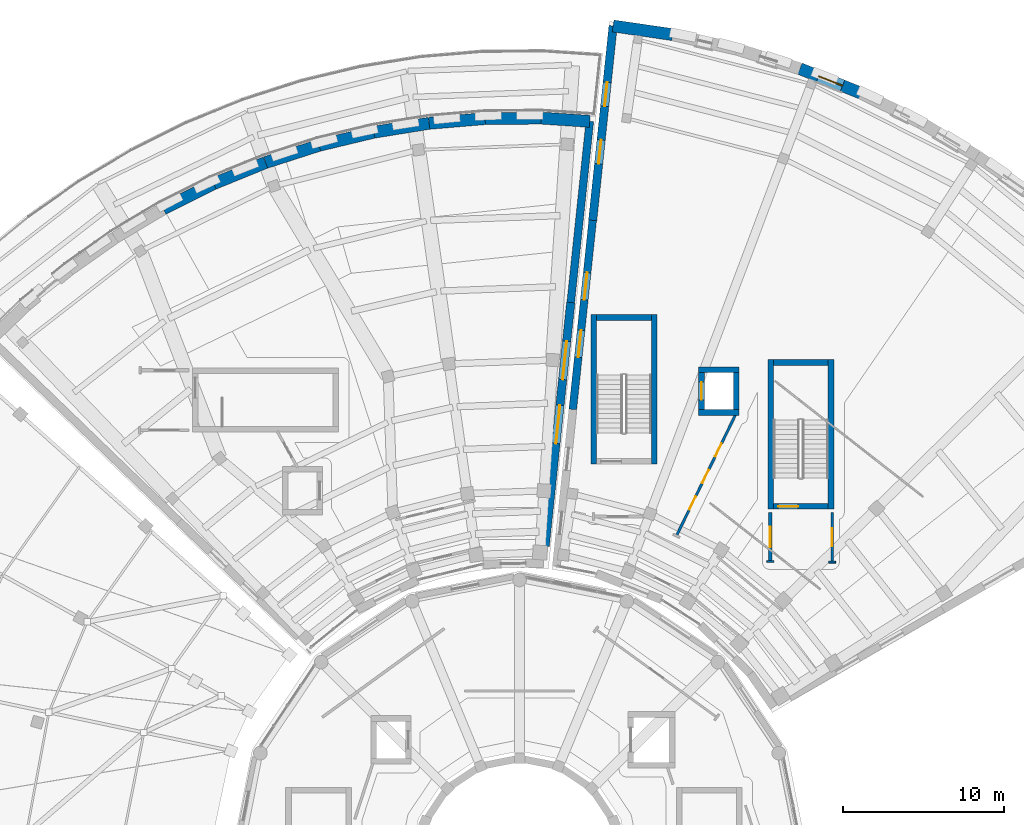
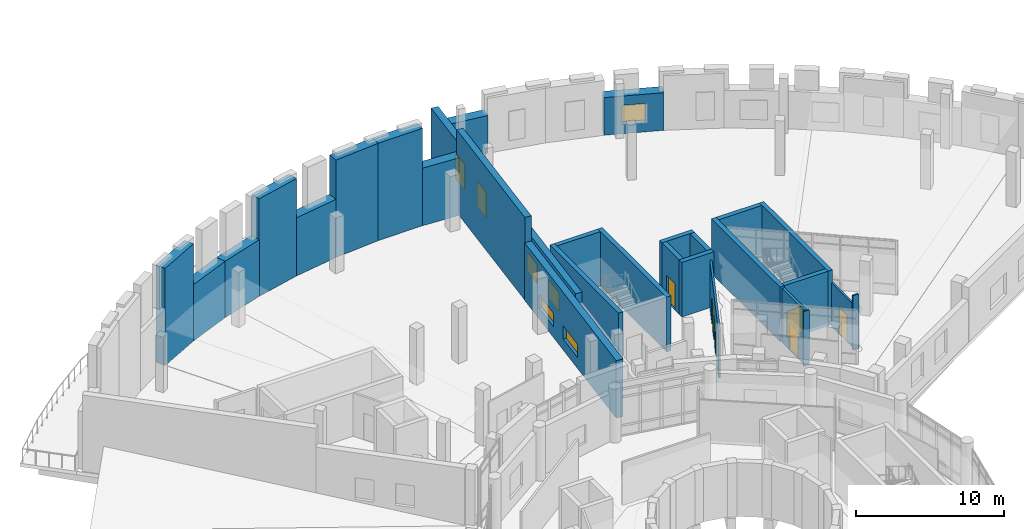
# One storey, part 37 of 49: 30 walls, 7 doors, 7 windows, 14 openings.
"""IFC4 building model written with IfcOpenShell, lengths in metres."""

from ifc_helpers import new_model, si_unit, direction, frame, frame_2d, origin, place, context, subcontext, project, spatial, rectangle, extrude, material, layer, layer_set, type_object, element, fill, save


model = new_model("IFC4")

# Units and contexts
model_context = context("Model", 3, precision=1e-05, world=origin(), true_north=direction((0.0, 1.0)))
body_context = subcontext(model_context, "Body", "Model", "MODEL_VIEW")
ifc_project = project(units=[si_unit("LENGTHUNIT", "METRE"), si_unit("AREAUNIT", "SQUARE_METRE"), si_unit("VOLUMEUNIT", "CUBIC_METRE"), si_unit("PLANEANGLEUNIT", "RADIAN"), si_unit("MASSUNIT", "GRAM", prefix="KILO")], contexts=[model_context])

# Site, building, storey
site_placement = place(None, origin())
site = spatial("IfcSite", under=ifc_project, at=site_placement, CompositionType="ELEMENT")
building_placement = place(site_placement, origin())
building = spatial("IfcBuilding", under=site, at=building_placement, Name="Soyqirgoq Riverine Aquarium", CompositionType="ELEMENT")
storey_placement = place(building_placement, frame((0.0, 0.0, 15.0)))
storey = spatial("IfcBuildingStorey", under=building, at=storey_placement, Name="L04", CompositionType="ELEMENT", Elevation=15.0)

# Walls
ifc_material_1 = material(Name="Concrete C40/50", Category="concrete")
ifc_layer_1 = layer(ifc_material_1, 0.35009765625)
ifc_layer_set_1 = layer_set([ifc_layer_1], Name="Concrete C40/50")
wall_type_1 = type_object("IfcWallType", Name="CoreShearWall_350_C40", PredefinedType="SHEAR", material=ifc_layer_set_1)
wall_1_placement = place(storey_placement, frame((64.375, 81.64990234375, 0.0), z_axis=(0.0, 0.0, 1.0), x_axis=(0.0, 1.0, 0.0)))
element("IfcWall", 1, at=wall_1_placement, inside=storey, type_object=wall_type_1, Name="CORE-5A L04 Stair Core Shear Wall SIDE1", PredefinedType="SHEAR", context=body_context, shape_type="SweptSolid", body=[
    extrude(rectangle(XDim=9.300048828125, YDim=0.35009765625, at=frame_2d((4.64990234375, 0.0))), origin(), (0.0, 0.0, 1.0), 4.52001953125),
])
wall_2_placement = place(storey_placement, frame((64.199951171875, 90.77490234375, 0.0), z_axis=(0.0, 0.0, 1.0), x_axis=(-1.0, 0.0, 0.0)))
element("IfcWall", 2, at=wall_2_placement, inside=storey, type_object=wall_type_1, Name="CORE-5A L04 Stair Core Shear Wall BACK", PredefinedType="SHEAR", context=body_context, shape_type="SweptSolid", body=[
    extrude(rectangle(XDim=3.39990234375, YDim=0.35009765625, at=frame_2d((1.699951171875, 0.0))), origin(), (0.0, 0.0, 1.0), 4.52001953125),
])
wall_3_placement = place(storey_placement, frame((60.625, 90.949951171875, 0.0), z_axis=(0.0, 0.0, 1.0), x_axis=(0.0, -1.0, 0.0)))
element("IfcWall", 3, at=wall_3_placement, inside=storey, type_object=wall_type_1, Name="CORE-5A L04 Stair Core Shear Wall SIDE2", PredefinedType="SHEAR", context=body_context, shape_type="SweptSolid", body=[
    extrude(rectangle(XDim=9.300048828125, YDim=0.35009765625, at=frame_2d((4.64990234375, 0.0))), origin(), (0.0, 0.0, 1.0), 4.52001953125),
])
wall_4_placement = place(storey_placement, frame((67.14501953125, 84.8701171875, 0.0), z_axis=(0.0, 0.0, 1.0), x_axis=(1.0, 0.0, 0.0)))
element("IfcWall", 4, at=wall_4_placement, inside=storey, type_object=wall_type_1, Name="Lift PL-5 Shaft Wall L04 1", PredefinedType="SHEAR", context=body_context, shape_type="SweptSolid", body=[
    extrude(rectangle(XDim=2.510009765625, YDim=0.35009765625, at=frame_2d((1.2548828125, 0.0))), origin(), (0.0, 0.0, 1.0), 4.52001953125),
])
wall_5_placement = place(storey_placement, frame((69.47998046875, 85.044921875, 0.0), z_axis=(0.0, 0.0, 1.0), x_axis=(0.0, 1.0, 0.0)))
element("IfcWall", 5, at=wall_5_placement, inside=storey, type_object=wall_type_1, Name="Lift PL-5 Shaft Wall L04 2", PredefinedType="SHEAR", context=body_context, shape_type="SweptSolid", body=[
    extrude(rectangle(XDim=2.31005859375, YDim=0.35009765625, at=frame_2d((1.155029296875, 0.0))), origin(), (0.0, 0.0, 1.0), 4.52001953125),
])
wall_6_placement = place(storey_placement, frame((69.655029296875, 87.530029296875, 0.0), z_axis=(0.0, 0.0, 1.0), x_axis=(-1.0, 0.0, 0.0)))
element("IfcWall", 6, at=wall_6_placement, inside=storey, type_object=wall_type_1, Name="Lift PL-5 Shaft Wall L04 3", PredefinedType="SHEAR", context=body_context, shape_type="SweptSolid", body=[
    extrude(rectangle(XDim=2.510009765625, YDim=0.35009765625, at=frame_2d((1.2548828125, 0.0))), origin(), (0.0, 0.0, 1.0), 4.52001953125),
])

# Wall, opening, door
wall_7_placement = place(storey_placement, frame((67.320068359375, 87.35498046875, 0.0), z_axis=(0.0, 0.0, 1.0), x_axis=(0.0, -1.0, 0.0)))
wall_7 = element("IfcWall", 7, at=wall_7_placement, inside=storey, type_object=wall_type_1, Name="Lift PL-5 Shaft Wall L04 4", PredefinedType="SHEAR", context=body_context, shape_type="SweptSolid", body=[
    extrude(rectangle(XDim=2.31005859375, YDim=0.35009765625, at=frame_2d((1.155029296875, 0.0))), origin(), (0.0, 0.0, 1.0), 4.52001953125),
])
opening_1_placement = place(wall_7_placement, frame((0.60498046875, 0.0, 0.0)))
opening_1 = element("IfcOpeningElement", 8, at=opening_1_placement, cuts=wall_7, Name="Opening LD-01", PredefinedType="OPENING", context=body_context, shape_type="SweptSolid", body=[
    extrude(rectangle(XDim=1.10009765625, YDim=2.199951171875, at=frame_2d((0.550048828125, 1.10009765625))), frame((0.0, 0.18505859375, 0.0), z_axis=(0.0, -1.0, 0.0), x_axis=(1.0, 0.0, 0.0)), (0.0, 0.0, 1.0), 0.3701171875),
])
ifc_material_2 = material(Name="Brushed stainless steel telescopic lift landing door", Category="steel")
door_type_1 = type_object("IfcDoorType", Name="LiftLandingDoor_1100x2200", OperationType="SLIDING_TO_LEFT", PredefinedType="DOOR", material=ifc_material_2)
door_1_placement = place(opening_1_placement, origin())
door_1 = element("IfcDoor", 9, at=door_1_placement, inside=storey, type_object=door_type_1, Name="LD-PL-5-L04 Lift PL-5 L04 Sliding Landing Door", OperationType="SLIDING_TO_LEFT", OverallHeight=2.199951171875, OverallWidth=1.10009765625, PredefinedType="DOOR", context=body_context, shape_type="SweptSolid", body=[
    extrude(rectangle(XDim=1.10009765625, YDim=2.199951171875, at=frame_2d((0.550048828125, 1.10009765625))), frame((0.0, 0.02490234375, 0.0), z_axis=(0.0, -1.0, 0.0), x_axis=(1.0, 0.0, 0.0)), (0.0, 0.0, 1.0), 0.050048828125),
])
fill(opening_1, door_1)

# Walls
wall_8_placement = place(storey_placement, frame((75.375, 78.85009765625, 0.0), z_axis=(0.0, 0.0, 1.0), x_axis=(0.0, 1.0, 0.0)))
element("IfcWall", 10, at=wall_8_placement, inside=storey, type_object=wall_type_1, Name="CORE-5B L04 Stair Core Shear Wall SIDE1", PredefinedType="SHEAR", context=body_context, shape_type="SweptSolid", body=[
    extrude(rectangle(XDim=9.2998046875, YDim=0.35009765625, at=frame_2d((4.64990234375, 0.0))), origin(), (0.0, 0.0, 1.0), 4.52001953125),
])
wall_9_placement = place(storey_placement, frame((75.199951171875, 87.97509765625, 0.0), z_axis=(0.0, 0.0, 1.0), x_axis=(-1.0, 0.0, 0.0)))
element("IfcWall", 11, at=wall_9_placement, inside=storey, type_object=wall_type_1, Name="CORE-5B L04 Stair Core Shear Wall BACK", PredefinedType="SHEAR", context=body_context, shape_type="SweptSolid", body=[
    extrude(rectangle(XDim=3.39990234375, YDim=0.35009765625, at=frame_2d((1.699951171875, 0.0))), origin(), (0.0, 0.0, 1.0), 4.52001953125),
])
wall_10_placement = place(storey_placement, frame((71.625, 88.14990234375, 0.0), z_axis=(0.0, 0.0, 1.0), x_axis=(0.0, -1.0, 0.0)))
element("IfcWall", 12, at=wall_10_placement, inside=storey, type_object=wall_type_1, Name="CORE-5B L04 Stair Core Shear Wall SIDE2", PredefinedType="SHEAR", context=body_context, shape_type="SweptSolid", body=[
    extrude(rectangle(XDim=9.2998046875, YDim=0.35009765625, at=frame_2d((4.64990234375, 0.0))), origin(), (0.0, 0.0, 1.0), 4.52001953125),
])

# Wall, opening, door
wall_11_placement = place(storey_placement, frame((71.800048828125, 79.02490234375, 0.0), z_axis=(0.0, 0.0, 1.0), x_axis=(1.0, 0.0, 0.0)))
wall_11 = element("IfcWall", 13, at=wall_11_placement, inside=storey, type_object=wall_type_1, Name="CORE-5B L04 Stair Core Shear Wall FRONT", PredefinedType="SHEAR", context=body_context, shape_type="SweptSolid", body=[
    extrude(rectangle(XDim=3.39990234375, YDim=0.35009765625, at=frame_2d((1.699951171875, 0.0))), origin(), (0.0, 0.0, 1.0), 4.52001953125),
])
opening_2_placement = place(wall_11_placement, frame((0.280029296875, 0.0, 0.0)))
opening_2 = element("IfcOpeningElement", 14, at=opening_2_placement, cuts=wall_11, Name="Opening FD-01", PredefinedType="OPENING", context=body_context, shape_type="SweptSolid", body=[
    extrude(rectangle(XDim=1.25, YDim=2.199951171875, at=frame_2d((0.625, 1.10009765625))), frame((0.0, 0.18505859375, 0.0), z_axis=(0.0, -1.0, 0.0), x_axis=(1.0, 0.0, 0.0)), (0.0, 0.0, 1.0), 0.3701171875),
])
ifc_material_3 = material(Name="Galvanised steel fire-resisting stair door", Category="steel")
door_type_2 = type_object("IfcDoorType", Name="StairFireDoor_1250x2200_EI90", OperationType="NOTDEFINED", PredefinedType="DOOR", material=ifc_material_3)
door_2_placement = place(opening_2_placement, origin())
door_2 = element("IfcDoor", 15, at=door_2_placement, inside=storey, type_object=door_type_2, Name="DR-ST-6-L04 ST-6 L04 Fire-Rated Stairwell Door", OperationType="SINGLE_SWING_LEFT", OverallHeight=2.199951171875, OverallWidth=1.25, PredefinedType="DOOR", context=body_context, shape_type="SweptSolid", body=[
    extrude(rectangle(XDim=1.25, YDim=2.199951171875, at=frame_2d((0.625, 1.10009765625))), frame((0.0, 0.02490234375, 0.0), z_axis=(0.0, -1.0, 0.0), x_axis=(1.0, 0.0, 0.0)), (0.0, 0.0, 1.0), 0.050048828125),
])
fill(opening_2, door_2)

# Walls
ifc_material_4 = material(Name="Lightweight steel-stud gypsum partition", Category="steel")
ifc_layer_2 = layer(ifc_material_4, 0.1201171875)
ifc_layer_set_2 = layer_set([ifc_layer_2], Name="Lightweight steel-stud gypsum partition")
wall_type_2 = type_object("IfcWallType", Name="PartitionWall_120_Std", PredefinedType="PARTITIONING", material=ifc_layer_set_2)
wall_12_placement = place(storey_placement, frame((71.3798828125, 75.60009765625, 0.0), z_axis=(0.0, 0.0, 1.0), x_axis=(1.0, 0.0, 0.0)))
element("IfcWall", 16, at=wall_12_placement, inside=storey, type_object=wall_type_2, Name="V5 L04 Jamb Return Pier", PredefinedType="PARTITIONING", context=body_context, shape_type="SweptSolid", body=[
    extrude(rectangle(XDim=0.440185546875, YDim=0.1201171875, at=frame_2d((0.22021484375, 0.0))), origin(), (0.0, 0.0, 1.0), 4.52001953125),
])
wall_13_placement = place(storey_placement, frame((75.219970703125, 75.56005859375, 0.0), z_axis=(0.0, 0.0, 1.0), x_axis=(1.0, 0.0, 0.0)))
element("IfcWall", 17, at=wall_13_placement, inside=storey, type_object=wall_type_2, Name="V5 L04 Jamb Return Pier", PredefinedType="PARTITIONING", context=body_context, shape_type="SweptSolid", body=[
    extrude(rectangle(XDim=0.43994140625, YDim=0.1201171875, at=frame_2d((0.219970703125, 0.0))), origin(), (0.0, 0.0, 1.0), 4.52001953125),
])

# Wall, openings, doors
ifc_material_5 = material(Name="Fire-rated acoustic gypsum stud partition", Category="gypsum")
ifc_layer_3 = layer(ifc_material_5, 0.159912109375)
ifc_layer_set_3 = layer_set([ifc_layer_3], Name="Fire-rated acoustic gypsum stud partition")
wall_type_3 = type_object("IfcWallType", Name="PartitionWall_160_EI60", PredefinedType="PARTITIONING", material=ifc_layer_set_3)
wall_14_placement = place(storey_placement, frame((65.75830078125, 77.18994140625, 0.0), z_axis=(0.0, 0.0, 1.0), x_axis=(0.438359114889, 0.898799914549, 0.0)))
wall_14 = element("IfcWall", 18, at=wall_14_placement, inside=storey, type_object=wall_type_3, Name="Live Phytoplankton Culture Room Partition Wall", PredefinedType="PARTITIONING", context=body_context, shape_type="SweptSolid", body=[
    extrude(rectangle(XDim=8.4248046875, YDim=0.159912109375, at=frame_2d((4.21240234375, 0.0))), origin(), (0.0, 0.0, 1.0), 3.909912109375),
])
opening_3_placement = place(wall_14_placement, frame((3.67236328125, 0.0, 0.0)))
opening_3 = element("IfcOpeningElement", 19, at=opening_3_placement, cuts=wall_14, Name="Opening RD-01", PredefinedType="OPENING", context=body_context, shape_type="SweptSolid", body=[
    extrude(rectangle(XDim=0.89990234375, YDim=2.10009765625, at=frame_2d((0.449951171875, 1.050048828125))), frame((0.0, 0.08984375, 0.0), z_axis=(0.0, -1.0, 0.0), x_axis=(1.0, 0.0, 0.0)), (0.0, 0.0, 1.0), 0.179931640625),
])
opening_4_placement = place(wall_14_placement, frame((1.836181640625, 0.0, 0.0)))
opening_4 = element("IfcOpeningElement", 20, at=opening_4_placement, cuts=wall_14, Name="Opening RD-01", PredefinedType="OPENING", context=body_context, shape_type="SweptSolid", body=[
    extrude(rectangle(XDim=0.89990234375, YDim=2.10009765625, at=frame_2d((0.449951171875, 1.050048828125))), frame((0.0, 0.08984375, 0.0), z_axis=(0.0, -1.0, 0.0), x_axis=(1.0, 0.0, 0.0)), (0.0, 0.0, 1.0), 0.179931640625),
])
opening_5_placement = place(wall_14_placement, frame((5.50830078125, 0.0, 0.0)))
opening_5 = element("IfcOpeningElement", 21, at=opening_5_placement, cuts=wall_14, Name="Opening RD-01", PredefinedType="OPENING", context=body_context, shape_type="SweptSolid", body=[
    extrude(rectangle(XDim=0.89990234375, YDim=2.10009765625, at=frame_2d((0.449951171875, 1.050048828125))), frame((0.0, 0.08984375, 0.0), z_axis=(0.0, -1.0, 0.0), x_axis=(1.0, 0.0, 0.0)), (0.0, 0.0, 1.0), 0.179931640625),
])
ifc_material_6 = material(Name="Flush steel service riser fire door", Category="steel")
door_type_3 = type_object("IfcDoorType", Name="RiserAccessDoor_900x2100_EI60", OperationType="NOTDEFINED", PredefinedType="DOOR", material=ifc_material_6)
door_3_placement = place(opening_3_placement, origin())
door_3 = element("IfcDoor", 22, at=door_3_placement, inside=storey, type_object=door_type_3, Name="IDR-V5-L04-0160 Live Phytoplankton Culture Room Access Door", OperationType="SINGLE_SWING_RIGHT", OverallHeight=2.10009765625, OverallWidth=0.89990234375, PredefinedType="DOOR", context=body_context, shape_type="SweptSolid", body=[
    extrude(rectangle(XDim=0.89990234375, YDim=2.10009765625, at=frame_2d((0.449951171875, 1.050048828125))), frame((0.0, 0.02490234375, 0.0), z_axis=(0.0, -1.0, 0.0), x_axis=(1.0, 0.0, 0.0)), (0.0, 0.0, 1.0), 0.050048828125),
])
fill(opening_3, door_3)
door_4_placement = place(opening_4_placement, origin())
door_4 = element("IfcDoor", 23, at=door_4_placement, inside=storey, type_object=door_type_3, Name="IDR-V5-L04-0161 Microbiology Clean Suite Access Door", OperationType="SINGLE_SWING_LEFT", OverallHeight=2.10009765625, OverallWidth=0.89990234375, PredefinedType="DOOR", context=body_context, shape_type="SweptSolid", body=[
    extrude(rectangle(XDim=0.89990234375, YDim=2.10009765625, at=frame_2d((0.449951171875, 1.050048828125))), frame((0.0, 0.02490234375, 0.0), z_axis=(0.0, -1.0, 0.0), x_axis=(1.0, 0.0, 0.0)), (0.0, 0.0, 1.0), 0.050048828125),
])
fill(opening_4, door_4)
door_5_placement = place(opening_5_placement, origin())
door_5 = element("IfcDoor", 24, at=door_5_placement, inside=storey, type_object=door_type_3, Name="IDR-V5-L04-0162 Live Phytoplankton Culture Room Access Door", OperationType="SINGLE_SWING_RIGHT", OverallHeight=2.10009765625, OverallWidth=0.89990234375, PredefinedType="DOOR", context=body_context, shape_type="SweptSolid", body=[
    extrude(rectangle(XDim=0.89990234375, YDim=2.10009765625, at=frame_2d((0.449951171875, 1.050048828125))), frame((0.0, 0.02490234375, 0.0), z_axis=(0.0, -1.0, 0.0), x_axis=(1.0, 0.0, 0.0)), (0.0, 0.0, 1.0), 0.050048828125),
])
fill(opening_5, door_5)

# Wall, opening, door
wall_15_placement = place(storey_placement, frame((75.43994140625, 78.64990234375, 0.0), z_axis=(0.0, 0.0, 1.0), x_axis=(0.0, -1.0, 0.0)))
wall_15 = element("IfcWall", 25, at=wall_15_placement, inside=storey, type_object=wall_type_3, Name="Wet Biology Laboratory Partition Wall", PredefinedType="PARTITIONING", context=body_context, shape_type="SweptSolid", body=[
    extrude(rectangle(XDim=3.08984375, YDim=0.159912109375, at=frame_2d((1.544921875, 0.0))), origin(), (0.0, 0.0, 1.0), 3.610107421875),
])
opening_6_placement = place(wall_15_placement, frame((0.9951171875, 0.0, 0.0)))
opening_6 = element("IfcOpeningElement", 26, at=opening_6_placement, cuts=wall_15, Name="Opening ID-04", PredefinedType="OPENING", context=body_context, shape_type="SweptSolid", body=[
    extrude(rectangle(XDim=1.10009765625, YDim=2.199951171875, at=frame_2d((0.550048828125, 1.10009765625))), frame((0.0, 0.08984375, 0.0), z_axis=(0.0, -1.0, 0.0), x_axis=(1.0, 0.0, 0.0)), (0.0, 0.0, 1.0), 0.179931640625),
])
ifc_material_7 = material(Name="Chemical-resistant HPL fire-rated laboratory door", Category="wood")
door_type_4 = type_object("IfcDoorType", Name="LabDoor_1100x2200_EI60", OperationType="NOTDEFINED", PredefinedType="DOOR", material=ifc_material_7)
door_6_placement = place(opening_6_placement, origin())
door_6 = element("IfcDoor", 27, at=door_6_placement, inside=storey, type_object=door_type_4, Name="IDR-V5-L04-0159 Wet Biology Laboratory Door", OperationType="SINGLE_SWING_LEFT", OverallHeight=2.199951171875, OverallWidth=1.10009765625, PredefinedType="DOOR", context=body_context, shape_type="SweptSolid", body=[
    extrude(rectangle(XDim=1.10009765625, YDim=2.199951171875, at=frame_2d((0.550048828125, 1.10009765625))), frame((0.0, 0.02490234375, 0.0), z_axis=(0.0, -1.0, 0.0), x_axis=(1.0, 0.0, 0.0)), (0.0, 0.0, 1.0), 0.050048828125),
])
fill(opening_6, door_6)

ifc_material_8 = material(Name="Fire-rated calcium silicate twin-stud partition", Category="gypsum")
ifc_layer_4 = layer(ifc_material_8, 0.199951171875)
ifc_layer_set_4 = layer_set([ifc_layer_4], Name="Fire-rated calcium silicate twin-stud partition")
wall_type_4 = type_object("IfcWallType", Name="PartitionWall_200_EI90", PredefinedType="PARTITIONING", material=ifc_layer_set_4)
wall_16_placement = place(storey_placement, frame((71.60009765625, 78.64990234375, 0.0), z_axis=(0.0, 0.0, 1.0), x_axis=(0.0, -1.0, 0.0)))
wall_16 = element("IfcWall", 28, at=wall_16_placement, inside=storey, type_object=wall_type_4, Name="Lift and Stair Lobby ST-6 Fire Enclosure Wall", PredefinedType="PARTITIONING", context=body_context, shape_type="SweptSolid", body=[
    extrude(rectangle(XDim=3.0498046875, YDim=0.199951171875, at=frame_2d((1.52490234375, 0.0))), origin(), (0.0, 0.0, 1.0), 4.52001953125),
])
opening_7_placement = place(wall_16_placement, frame((0.89990234375, 0.0, 0.0)))
opening_7 = element("IfcOpeningElement", 29, at=opening_7_placement, cuts=wall_16, Name="Opening FD-01", PredefinedType="OPENING", context=body_context, shape_type="SweptSolid", body=[
    extrude(rectangle(XDim=1.25, YDim=2.199951171875, at=frame_2d((0.625, 1.10009765625))), frame((0.0, 0.10986328125, 0.0), z_axis=(0.0, -1.0, 0.0), x_axis=(1.0, 0.0, 0.0)), (0.0, 0.0, 1.0), 0.219970703125),
])
door_7_placement = place(opening_7_placement, origin())
door_7 = element("IfcDoor", 30, at=door_7_placement, inside=storey, type_object=door_type_2, Name="IDR-V5-L04-0156 Lift and Stair Lobby ST-6 Egress Fire Door", OperationType="SINGLE_SWING_LEFT", OverallHeight=2.199951171875, OverallWidth=1.25, PredefinedType="DOOR", context=body_context, shape_type="SweptSolid", body=[
    extrude(rectangle(XDim=1.25, YDim=2.199951171875, at=frame_2d((0.625, 1.10009765625))), frame((0.0, 0.02490234375, 0.0), z_axis=(0.0, -1.0, 0.0), x_axis=(1.0, 0.0, 0.0)), (0.0, 0.0, 1.0), 0.050048828125),
])
fill(opening_7, door_7)

# Wall
ifc_material_9 = material(Name="Honed travertine limestone cavity wall", Category="masonry")
ifc_layer_5 = layer(ifc_material_9, 0.47998046875)
ifc_layer_set_5 = layer_set([ifc_layer_5], Name="Honed travertine limestone cavity wall")
wall_type_5 = type_object("IfcWallType", Name="TravertineCavityWall_480", PredefinedType="SOLIDWALL", material=ifc_layer_set_5)
wall_17_placement = place(storey_placement, frame((60.369873046875, 102.9775390625, 0.0), z_axis=(0.0, 0.0, 1.0), x_axis=(-0.104525478139, -0.994522209113, 0.0)))
element("IfcWall", 31, at=wall_17_placement, inside=storey, type_object=wall_type_5, Name="V4 L04 Exterior Travertine Wall 0233", PredefinedType="SOLIDWALL", context=body_context, shape_type="SweptSolid", body=[
    extrude(rectangle(XDim=11.328125, YDim=0.47998046875, at=frame_2d((5.6640625, 0.0))), origin(), (0.0, 0.0, 1.0), 6.8330078125),
])

# Wall, openings, windows
wall_18_placement = place(storey_placement, frame((59.311279296875, 85.059814453125, 0.0), z_axis=(0.0, 0.0, 1.0), x_axis=(0.104529993567, 0.994521734526, 0.0)))
wall_18 = element("IfcWall", 32, at=wall_18_placement, inside=storey, type_object=wall_type_5, Name="V5 L04 Exterior Travertine Wall 0304", PredefinedType="SOLIDWALL", context=body_context, shape_type="SweptSolid", body=[
    extrude(rectangle(XDim=11.82275390625, YDim=0.47998046875, at=frame_2d((5.911376953125, 0.0))), origin(), (0.0, 0.0, 1.0), 4.52001953125),
])
opening_8_placement = place(wall_18_placement, frame((3.261474609375, 0.0, 0.89990234375)))
opening_8 = element("IfcOpeningElement", 33, at=opening_8_placement, cuts=wall_18, Name="Opening WN-21", PredefinedType="OPENING", context=body_context, shape_type="SweptSolid", body=[
    extrude(rectangle(XDim=1.699951171875, YDim=1.550048828125, at=frame_2d((0.85009765625, 0.77490234375))), frame((0.0, 0.25, 0.0), z_axis=(0.0, -1.0, 0.0), x_axis=(1.0, 0.0, 0.0)), (0.0, 0.0, 1.0), 0.5),
])
opening_9_placement = place(wall_18_placement, frame((6.861328125, 0.0, 0.89990234375)))
opening_9 = element("IfcOpeningElement", 34, at=opening_9_placement, cuts=wall_18, Name="Opening WN-21", PredefinedType="OPENING", context=body_context, shape_type="SweptSolid", body=[
    extrude(rectangle(XDim=1.699951171875, YDim=1.550048828125, at=frame_2d((0.85009765625, 0.77490234375))), frame((0.0, 0.25, 0.0), z_axis=(0.0, -1.0, 0.0), x_axis=(1.0, 0.0, 0.0)), (0.0, 0.0, 1.0), 0.5),
])
ifc_material_10 = material(Name="Thermally broken aluminium triple low-E window", Category="aluminium")
window_type_1 = type_object("IfcWindowType", Name="Win_Lab_1700x1550", PartitioningType="DOUBLE_PANEL_VERTICAL", PredefinedType="WINDOW", material=ifc_material_10)
window_1_placement = place(opening_8_placement, origin())
window_1 = element("IfcWindow", 35, at=window_1_placement, inside=storey, type_object=window_type_1, Name="V5 L04 Facade Window 0247", OverallHeight=1.550048828125, OverallWidth=1.699951171875, PartitioningType="DOUBLE_PANEL_VERTICAL", PredefinedType="WINDOW", context=body_context, shape_type="SweptSolid", body=[
    extrude(rectangle(XDim=1.699951171875, YDim=1.550048828125, at=frame_2d((0.85009765625, 0.77490234375))), frame((0.0, 0.030029296875, 0.0), z_axis=(0.0, -1.0, 0.0), x_axis=(1.0, 0.0, 0.0)), (0.0, 0.0, 1.0), 0.06005859375),
])
fill(opening_8, window_1)
window_2_placement = place(opening_9_placement, origin())
window_2 = element("IfcWindow", 36, at=window_2_placement, inside=storey, type_object=window_type_1, Name="V5 L04 Facade Window 0248", OverallHeight=1.550048828125, OverallWidth=1.699951171875, PartitioningType="DOUBLE_PANEL_VERTICAL", PredefinedType="WINDOW", context=body_context, shape_type="SweptSolid", body=[
    extrude(rectangle(XDim=1.699951171875, YDim=1.550048828125, at=frame_2d((0.85009765625, 0.77490234375))), frame((0.0, 0.030029296875, 0.0), z_axis=(0.0, -1.0, 0.0), x_axis=(1.0, 0.0, 0.0)), (0.0, 0.0, 1.0), 0.06005859375),
])
fill(opening_9, window_2)

ifc_material_11 = material(Name="Honed travertine limestone cavity wall", Category="masonry")
ifc_layer_6 = layer(ifc_material_11, 0.52001953125)
ifc_layer_set_6 = layer_set([ifc_layer_6], Name="Honed travertine limestone cavity wall")
wall_type_6 = type_object("IfcWallType", Name="TravertineCavityWall_520", PredefinedType="SOLIDWALL", material=ifc_layer_set_6)
wall_19_placement = place(storey_placement, frame((59.185791015625, 91.71142578125, 0.0), z_axis=(0.0, 0.0, 1.0), x_axis=(-0.104529652015, -0.994521770425, 0.0)))
wall_19 = element("IfcWall", 37, at=wall_19_placement, inside=storey, type_object=wall_type_6, Name="V4 L04 Exterior Travertine Wall 0234", PredefinedType="SOLIDWALL", context=body_context, shape_type="SweptSolid", body=[
    extrude(rectangle(XDim=15.237548828125, YDim=0.52001953125, at=frame_2d((7.61865234375, 0.0))), origin(), (0.0, 0.0, 1.0), 4.75341796875),
])
opening_10_placement = place(wall_19_placement, frame((2.418701171875, 0.0, 0.89990234375)))
opening_10 = element("IfcOpeningElement", 38, at=opening_10_placement, cuts=wall_19, Name="Opening WN-10", PredefinedType="OPENING", context=body_context, shape_type="SweptSolid", body=[
    extrude(rectangle(XDim=2.39990234375, YDim=1.10009765625, at=frame_2d((1.199951171875, 0.550048828125))), frame((0.0, 0.27001953125, 0.0), z_axis=(0.0, -1.0, 0.0), x_axis=(1.0, 0.0, 0.0)), (0.0, 0.0, 1.0), 0.5400390625),
])
opening_11_placement = place(wall_19_placement, frame((6.418701171875, 0.0, 0.89990234375)))
opening_11 = element("IfcOpeningElement", 39, at=opening_11_placement, cuts=wall_19, Name="Opening WN-10", PredefinedType="OPENING", context=body_context, shape_type="SweptSolid", body=[
    extrude(rectangle(XDim=2.39990234375, YDim=1.10009765625, at=frame_2d((1.199951171875, 0.550048828125))), frame((0.0, 0.27001953125, 0.0), z_axis=(0.0, -1.0, 0.0), x_axis=(1.0, 0.0, 0.0)), (0.0, 0.0, 1.0), 0.5400390625),
])
ifc_material_12 = material(Name="Thermally broken aluminium triple low-E window", Category="aluminium")
window_type_2 = type_object("IfcWindowType", Name="Win_Clerestory_2400x1100", PartitioningType="DOUBLE_PANEL_HORIZONTAL", PredefinedType="LIGHTDOME", material=ifc_material_12)
window_3_placement = place(opening_10_placement, origin())
window_3 = element("IfcWindow", 40, at=window_3_placement, inside=storey, type_object=window_type_2, Name="V4 L04 Facade Window 0175", OverallHeight=1.10009765625, OverallWidth=2.39990234375, PartitioningType="DOUBLE_PANEL_HORIZONTAL", PredefinedType="LIGHTDOME", context=body_context, shape_type="SweptSolid", body=[
    extrude(rectangle(XDim=2.39990234375, YDim=1.10009765625, at=frame_2d((1.199951171875, 0.550048828125))), frame((0.0, 0.030029296875, 0.0), z_axis=(0.0, -1.0, 0.0), x_axis=(1.0, 0.0, 0.0)), (0.0, 0.0, 1.0), 0.06005859375),
])
fill(opening_10, window_3)
window_4_placement = place(opening_11_placement, origin())
window_4 = element("IfcWindow", 41, at=window_4_placement, inside=storey, type_object=window_type_2, Name="V4 L04 Facade Window 0176", OverallHeight=1.10009765625, OverallWidth=2.39990234375, PartitioningType="DOUBLE_PANEL_HORIZONTAL", PredefinedType="LIGHTDOME", context=body_context, shape_type="SweptSolid", body=[
    extrude(rectangle(XDim=2.39990234375, YDim=1.10009765625, at=frame_2d((1.199951171875, 0.550048828125))), frame((0.0, 0.030029296875, 0.0), z_axis=(0.0, -1.0, 0.0), x_axis=(1.0, 0.0, 0.0)), (0.0, 0.0, 1.0), 0.06005859375),
])
fill(opening_11, window_4)

wall_20_placement = place(storey_placement, frame((60.547119140625, 96.81787109375, 0.0), z_axis=(0.0, 0.0, 1.0), x_axis=(0.104517571645, 0.994523040064, 0.0)))
wall_20 = element("IfcWall", 42, at=wall_20_placement, inside=storey, type_object=wall_type_6, Name="V5 L04 Exterior Travertine Wall 0305", PredefinedType="SOLIDWALL", context=body_context, shape_type="SweptSolid", body=[
    extrude(rectangle(XDim=12.16064453125, YDim=0.52001953125, at=frame_2d((6.080322265625, 0.0))), origin(), (0.0, 0.0, 1.0), 4.52001953125),
])
opening_12_placement = place(wall_20_placement, frame((3.530517578125, 0.0, 0.89990234375)))
opening_12 = element("IfcOpeningElement", 43, at=opening_12_placement, cuts=wall_20, Name="Opening WN-04", PredefinedType="OPENING", context=body_context, shape_type="SweptSolid", body=[
    extrude(rectangle(XDim=1.5, YDim=2.10009765625, at=frame_2d((0.75, 1.050048828125))), frame((0.0, 0.27001953125, 0.0), z_axis=(0.0, -1.0, 0.0), x_axis=(1.0, 0.0, 0.0)), (0.0, 0.0, 1.0), 0.5400390625),
])
opening_13_placement = place(wall_20_placement, frame((7.13037109375, 0.0, 0.89990234375)))
opening_13 = element("IfcOpeningElement", 44, at=opening_13_placement, cuts=wall_20, Name="Opening WN-04", PredefinedType="OPENING", context=body_context, shape_type="SweptSolid", body=[
    extrude(rectangle(XDim=1.5, YDim=2.10009765625, at=frame_2d((0.75, 1.050048828125))), frame((0.0, 0.27001953125, 0.0), z_axis=(0.0, -1.0, 0.0), x_axis=(1.0, 0.0, 0.0)), (0.0, 0.0, 1.0), 0.5400390625),
])
ifc_material_13 = material(Name="Thermally broken aluminium triple low-E window", Category="aluminium")
window_type_3 = type_object("IfcWindowType", Name="Win_Gallery_1500x2100", PartitioningType="DOUBLE_PANEL_VERTICAL", PredefinedType="WINDOW", material=ifc_material_13)
window_5_placement = place(opening_12_placement, origin())
window_5 = element("IfcWindow", 45, at=window_5_placement, inside=storey, type_object=window_type_3, Name="V5 L04 Facade Window 0249", OverallHeight=2.10009765625, OverallWidth=1.5, PartitioningType="DOUBLE_PANEL_VERTICAL", PredefinedType="WINDOW", context=body_context, shape_type="SweptSolid", body=[
    extrude(rectangle(XDim=1.5, YDim=2.10009765625, at=frame_2d((0.75, 1.050048828125))), frame((0.0, 0.030029296875, 0.0), z_axis=(0.0, -1.0, 0.0), x_axis=(1.0, 0.0, 0.0)), (0.0, 0.0, 1.0), 0.06005859375),
])
fill(opening_12, window_5)
window_6_placement = place(opening_13_placement, origin())
window_6 = element("IfcWindow", 46, at=window_6_placement, inside=storey, type_object=window_type_3, Name="V5 L04 Facade Window 0250", OverallHeight=2.10009765625, OverallWidth=1.5, PartitioningType="DOUBLE_PANEL_VERTICAL", PredefinedType="WINDOW", context=body_context, shape_type="SweptSolid", body=[
    extrude(rectangle(XDim=1.5, YDim=2.10009765625, at=frame_2d((0.75, 1.050048828125))), frame((0.0, 0.030029296875, 0.0), z_axis=(0.0, -1.0, 0.0), x_axis=(1.0, 0.0, 0.0)), (0.0, 0.0, 1.0), 0.06005859375),
])
fill(opening_13, window_6)

# Walls
ifc_material_14 = material(Name="Honed travertine limestone cavity wall", Category="masonry")
ifc_layer_7 = layer(ifc_material_14, 0.75)
ifc_layer_set_7 = layer_set([ifc_layer_7], Name="Honed travertine limestone cavity wall")
wall_type_7 = type_object("IfcWallType", Name="TravertineNicheWall_750", PredefinedType="SOLIDWALL", material=ifc_layer_set_7)
wall_21_placement = place(storey_placement, frame((33.83740234375, 97.536865234375, 0.0), z_axis=(0.0, 0.0, 1.0), x_axis=(0.894915871854, 0.446234895883, 0.0)))
element("IfcWall", 47, at=wall_21_placement, inside=storey, type_object=wall_type_7, Name="V4 L04 Exterior Travertine Wall 0225", PredefinedType="SOLIDWALL", context=body_context, shape_type="SweptSolid", body=[
    extrude(rectangle(XDim=3.493408203125, YDim=0.75, at=frame_2d((1.74658203125, 0.0))), origin(), (0.0, 0.0, 1.0), 8.044921875),
])
wall_22_placement = place(storey_placement, frame((36.963623046875, 99.095703125, 0.0), z_axis=(0.0, 0.0, 1.0), x_axis=(0.926105925959, 0.377263586773, 0.0)))
element("IfcWall", 48, at=wall_22_placement, inside=storey, type_object=wall_type_7, Name="V4 L04 Exterior Travertine Wall 0226", PredefinedType="SOLIDWALL", context=body_context, shape_type="SweptSolid", body=[
    extrude(rectangle(XDim=3.4931640625, YDim=0.75, at=frame_2d((1.74658203125, 0.0))), origin(), (0.0, 0.0, 1.0), 4.673583984375),
])
wall_23_placement = place(storey_placement, frame((40.19873046875, 100.41357421875, 0.0), z_axis=(0.0, 0.0, 1.0), x_axis=(0.951950724052, 0.306251235063, 0.0)))
element("IfcWall", 49, at=wall_23_placement, inside=storey, type_object=wall_type_7, Name="V4 L04 Exterior Travertine Wall 0227", PredefinedType="SOLIDWALL", context=body_context, shape_type="SweptSolid", body=[
    extrude(rectangle(XDim=3.493408203125, YDim=0.75, at=frame_2d((1.74658203125, 0.0))), origin(), (0.0, 0.0, 1.0), 4.673583984375),
])
wall_24_placement = place(storey_placement, frame((43.524169921875, 101.4833984375, 0.0), z_axis=(0.0, 0.0, 1.0), x_axis=(0.972373343478, 0.233431105241, 0.0)))
element("IfcWall", 50, at=wall_24_placement, inside=storey, type_object=wall_type_7, Name="V4 L04 Exterior Travertine Wall 0228", PredefinedType="SOLIDWALL", context=body_context, shape_type="SweptSolid", body=[
    extrude(rectangle(XDim=3.4931640625, YDim=0.75, at=frame_2d((1.74658203125, 0.0))), origin(), (0.0, 0.0, 1.0), 8.044921875),
])
wall_25_placement = place(storey_placement, frame((46.9208984375, 102.298828125, 0.0), z_axis=(0.0, 0.0, 1.0), x_axis=(0.987223394779, 0.159342300729, 0.0)))
element("IfcWall", 51, at=wall_25_placement, inside=storey, type_object=wall_type_7, Name="V4 L04 Exterior Travertine Wall 0229", PredefinedType="SOLIDWALL", context=body_context, shape_type="SweptSolid", body=[
    extrude(rectangle(XDim=3.493408203125, YDim=0.75, at=frame_2d((1.74658203125, 0.0))), origin(), (0.0, 0.0, 1.0), 4.8037109375),
])
for number, where, z_axis, x_axis, name in (
    (52, (50.36962890625, 102.85546875, 0.0), (0.0, 0.0, 1.0), (0.996447713687, 0.084213739304, 0.0), "V4 L04 Exterior Travertine Wall 0230"),
    (53, (53.8505859375, 103.149658203125, 0.0), (0.0, 0.0, 1.0), (0.999961840093, 0.008736037882, 0.0), "V4 L04 Exterior Travertine Wall 0231"),
):
    element("IfcWall", number, at=place(storey_placement, frame(where, z_axis=z_axis, x_axis=x_axis)), inside=storey, type_object=wall_type_7, Name=name, PredefinedType="SOLIDWALL", context=body_context, shape_type="SweptSolid", body=[
        extrude(rectangle(XDim=3.493408203125, YDim=0.75, at=frame_2d((1.74658203125, 0.0))), origin(), (0.0, 0.0, 1.0), 8.044921875),
    ])
wall_26_placement = place(storey_placement, frame((57.34375, 103.18017578125, 0.0), z_axis=(0.0, 0.0, 1.0), x_axis=(0.997765524506, -0.066812858841, 0.0)))
element("IfcWall", 54, at=wall_26_placement, inside=storey, type_object=wall_type_7, Name="V4 L04 Exterior Travertine Wall 0232", PredefinedType="SOLIDWALL", context=body_context, shape_type="SweptSolid", body=[
    extrude(rectangle(XDim=3.032958984375, YDim=0.75, at=frame_2d((1.5166015625, 0.0))), origin(), (0.0, 0.0, 1.0), 4.75341796875),
])
wall_27_placement = place(storey_placement, frame((61.818115234375, 108.911865234375, 0.0), z_axis=(0.0, 0.0, 1.0), x_axis=(0.989656438185, -0.143457779009, 0.0)))
element("IfcWall", 55, at=wall_27_placement, inside=storey, type_object=wall_type_7, Name="V5 L04 Exterior Travertine Wall 0306", PredefinedType="SOLIDWALL", context=body_context, shape_type="SweptSolid", body=[
    extrude(rectangle(XDim=3.742431640625, YDim=0.75, at=frame_2d((1.87109375, 0.0))), origin(), (0.0, 0.0, 1.0), 3.110107421875),
])

# Wall, opening, window
wall_28_placement = place(storey_placement, frame((73.44140625, 106.2529296875, 0.0), z_axis=(0.0, 0.0, 1.0), x_axis=(0.928788263231, -0.370610795964, 0.0)))
wall_28 = element("IfcWall", 56, at=wall_28_placement, inside=storey, type_object=wall_type_7, Name="V5 L04 Exterior Travertine Wall 0309", PredefinedType="SOLIDWALL", context=body_context, shape_type="SweptSolid", body=[
    extrude(rectangle(XDim=4.102783203125, YDim=0.75, at=frame_2d((2.05126953125, 0.0))), origin(), (0.0, 0.0, 1.0), 3.110107421875),
])
opening_14_placement = place(wall_28_placement, frame((1.251220703125, 0.0, 0.75)))
opening_14 = element("IfcOpeningElement", 57, at=opening_14_placement, cuts=wall_28, Name="Opening WN-06", PredefinedType="OPENING", context=body_context, shape_type="SweptSolid", body=[
    extrude(rectangle(XDim=1.60009765625, YDim=1.60009765625, at=frame_2d((0.800048828125, 0.800048828125))), frame((0.0, 0.385009765625, 0.0), z_axis=(0.0, -1.0, 0.0), x_axis=(1.0, 0.0, 0.0)), (0.0, 0.0, 1.0), 0.77001953125),
])
ifc_material_15 = material(Name="Thermally broken aluminium triple low-E window", Category="aluminium")
window_type_4 = type_object("IfcWindowType", Name="Win_Lab_1600x1600", PartitioningType="DOUBLE_PANEL_VERTICAL", PredefinedType="WINDOW", material=ifc_material_15)
window_7_placement = place(opening_14_placement, origin())
window_7 = element("IfcWindow", 58, at=window_7_placement, inside=storey, type_object=window_type_4, Name="V5 L04 Facade Window 0253", OverallHeight=1.60009765625, OverallWidth=1.60009765625, PartitioningType="DOUBLE_PANEL_VERTICAL", PredefinedType="WINDOW", context=body_context, shape_type="SweptSolid", body=[
    extrude(rectangle(XDim=1.60009765625, YDim=1.60009765625, at=frame_2d((0.800048828125, 0.800048828125))), frame((0.0, 0.030029296875, 0.0), z_axis=(0.0, -1.0, 0.0), x_axis=(1.0, 0.0, 0.0)), (0.0, 0.0, 1.0), 0.06005859375),
])
fill(opening_14, window_7)

save(model, "model.ifc")
